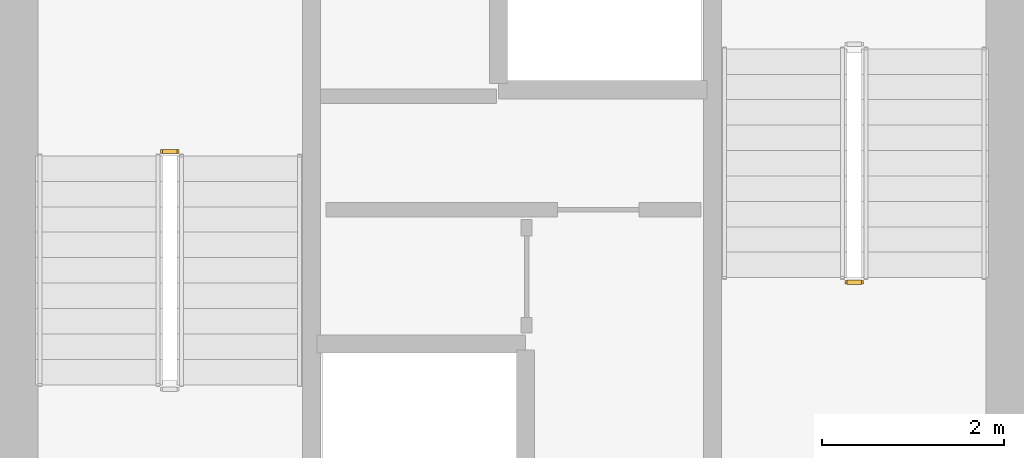
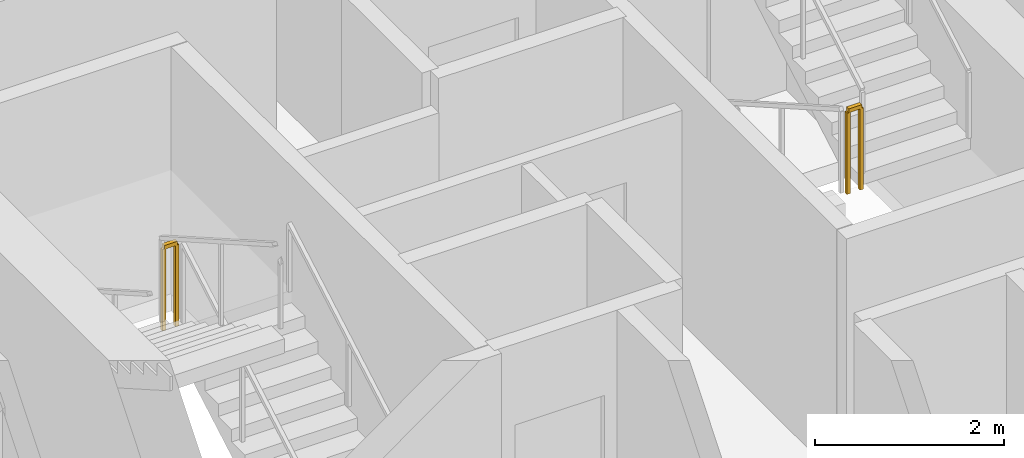
# One storey, part 13 of 15: 2 railings.
"""IFC4 building model written with IfcOpenShell, lengths in metres."""

from ifc_helpers import new_model, si_unit, direction, frame, origin, origin_2d, place, context, subcontext, project, spatial, rectangle, extrude, material, type_object, element, save


model = new_model("IFC4")

# Units and contexts
model_context = context("Model", 3, precision=1e-05, world=origin(), true_north=direction((0.0, 1.0)))
body_context = subcontext(model_context, "Body", "Model", "MODEL_VIEW")
ifc_project = project(units=[si_unit("LENGTHUNIT", "METRE"), si_unit("AREAUNIT", "SQUARE_METRE"), si_unit("VOLUMEUNIT", "CUBIC_METRE"), si_unit("PLANEANGLEUNIT", "RADIAN"), si_unit("MASSUNIT", "GRAM", prefix="KILO")], contexts=[model_context])

# Site, building, storey
site_placement = place(None, origin())
site = spatial("IfcSite", under=ifc_project, at=site_placement, CompositionType="ELEMENT")
building_placement = place(site_placement, origin())
building = spatial("IfcBuilding", under=site, at=building_placement, Name="Veldorim Arch Residences", CompositionType="ELEMENT")
storey_placement = place(building_placement, frame((0.0, 0.0, 109.280029296875)))
storey = spatial("IfcBuildingStorey", under=building, at=storey_placement, Name="L32", CompositionType="ELEMENT", Elevation=109.280029296875)

# Railings
ifc_material = material(Name="Steel S355", Category="steel")
railing_type = type_object("IfcRailingType", Name="Galvanised Steel Stair Safety Guardrail 1100", PredefinedType="GUARDRAIL", material=ifc_material)
railing_1_placement = place(storey_placement, frame((28.31005859375, 24.719970703125, 1.599853515625)))
element("IfcRailing", 1, at=railing_1_placement, inside=storey, type_object=railing_type, Name="L32 ST-1 stair guard 2", PredefinedType="GUARDRAIL", context=body_context, shape_type="SweptSolid", body=[
    extrude(rectangle(XDim=0.048095703125, YDim=0.048095703125, at=origin_2d()), frame((0.0, 0.0, 1.076171875), z_axis=(-1.0, 0.0, 0.0), x_axis=(0.0, -1.0, 0.0)), (0.0, 0.0, 1.0), 0.16015625),
    extrude(rectangle(XDim=0.0419921875, YDim=0.0419921875, at=origin_2d()), origin(), (0.0, 0.0, 1.0), 1.052001953125),
    extrude(rectangle(XDim=0.0419921875, YDim=0.0419921875, at=origin_2d()), frame((-0.16015625, 0.0, 0.0)), (0.0, 0.0, 1.0), 1.052001953125),
])
railing_2_placement = place(storey_placement, frame((35.68994140625, 23.280029296875, 1.599853515625)))
element("IfcRailing", 2, at=railing_2_placement, inside=storey, type_object=railing_type, Name="L32 ST-2 stair guard 2", PredefinedType="GUARDRAIL", context=body_context, shape_type="SweptSolid", body=[
    extrude(rectangle(XDim=0.048095703125, YDim=0.048095703125, at=origin_2d()), frame((0.0, 0.0, 1.076171875), z_axis=(1.0, 0.0, 0.0), x_axis=(0.0, 1.0, 0.0)), (0.0, 0.0, 1.0), 0.16015625),
    extrude(rectangle(XDim=0.0419921875, YDim=0.0419921875, at=origin_2d()), origin(), (0.0, 0.0, 1.0), 1.052001953125),
    extrude(rectangle(XDim=0.0419921875, YDim=0.0419921875, at=origin_2d()), frame((0.16015625, 0.0, 0.0)), (0.0, 0.0, 1.0), 1.052001953125),
])

save(model, "model.ifc")
